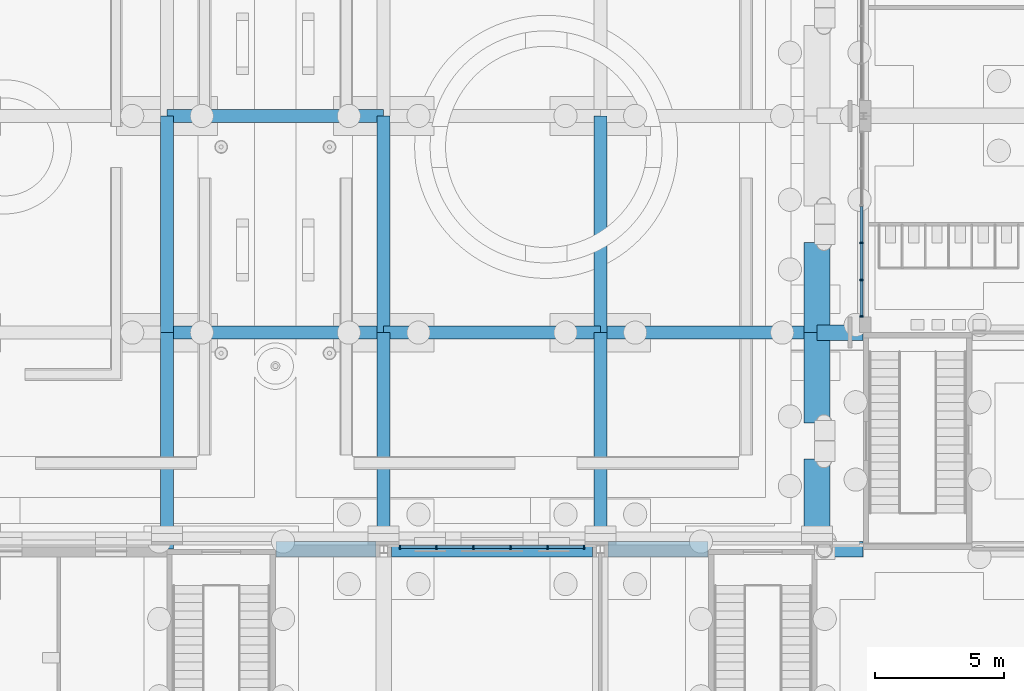
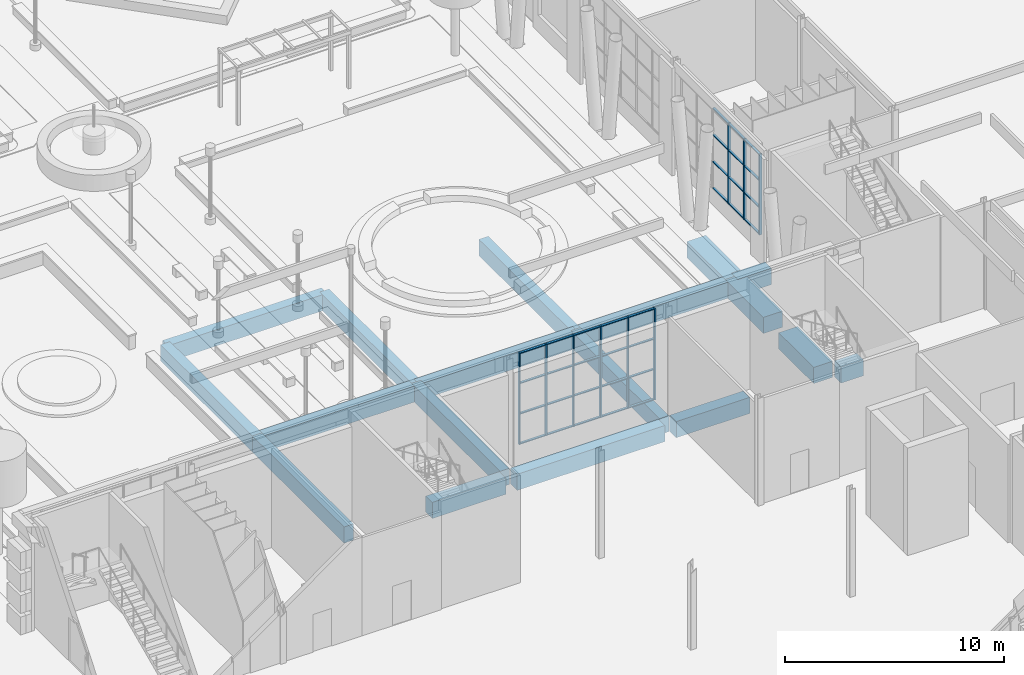
# One storey, part 43 of 222: 41 members, 18 beams, 2 elements without a shape of their own.
"""IFC4 building model written with IfcOpenShell, lengths in metres."""

import ifcopenshell
import ifcopenshell.guid

model = None  # the IFC model being written
_history = None  # IfcOwnerHistory: only IFC2X3 demands one
_inside = {}  # id of a spatial element -> (the spatial element, [elements in it])
_under = {}  # id of a project, library or spatial element -> (it, [spatial elements below it])
_declared = {}  # id of a project -> (the project, [libraries it declares])
_typed = {}  # id of a type object -> (the type object, [elements of that type])
_made_of = {}  # id of a material, layer set ... -> (it, [elements and type objects made of it])


def new_model(schema):
    """Start an empty IFC model of exactly this schema.

    Asked for "IFC4X3", IfcOpenShell would pick the latest addendum, in which some entities
    have other attributes; the version numbers below select the first issue.
    IFC2X3 requires an IfcOwnerHistory on every rooted entity: one is made here for all.
    """
    global model, _history
    if schema == "IFC4X3":
        model = ifcopenshell.file(schema_version=(4, 3, 0, 0))
    else:
        model = ifcopenshell.file(schema=schema)
    _inside.clear()
    _under.clear()
    _declared.clear()
    _typed.clear()
    _made_of.clear()
    _history = None
    if model.schema == "IFC2X3":
        org = make("IfcOrganization", Name="unknown")
        user = make(
            "IfcPersonAndOrganization",
            ThePerson=make("IfcPerson", FamilyName="unknown"),
            TheOrganization=org,
        )
        app = make(
            "IfcApplication",
            ApplicationDeveloper=org,
            Version="unknown",
            ApplicationFullName="unknown",
            ApplicationIdentifier="unknown",
        )
        _history = make(
            "IfcOwnerHistory",
            OwningUser=user,
            OwningApplication=app,
            ChangeAction="ADDED",
            CreationDate=0,
        )
    return model


def make(cls, **values):
    """One entity of the class cls with the attributes given. An attribute that is None is left unset."""
    return model.create_entity(
        cls, **{name: value for name, value in values.items() if value is not None}
    )


def rooted(cls, **values):
    """An entity with a GlobalId (a new one), such as an element, a storey or a relation."""
    return make(cls, GlobalId=ifcopenshell.guid.new(), OwnerHistory=_history, **values)


def si_unit(unit_type, name, prefix=None):
    """IfcSIUnit, for example si_unit("LENGTHUNIT", "METRE", prefix="MILLI")."""
    return make("IfcSIUnit", UnitType=unit_type, Prefix=prefix, Name=name)


def assignment(units):
    """IfcUnitAssignment: the units of a project."""
    return None if units is None else make("IfcUnitAssignment", Units=units)


def point(xyz):
    """IfcCartesianPoint."""
    return None if xyz is None else make("IfcCartesianPoint", Coordinates=xyz)


def direction(xyz):
    """IfcDirection."""
    return None if xyz is None else make("IfcDirection", DirectionRatios=xyz)


def frame(location, z_axis=None, x_axis=None):
    """IfcAxis2Placement3D, a coordinate frame: its origin and axes. An axis left out is left unset."""
    return make(
        "IfcAxis2Placement3D",
        Location=point(location),
        Axis=direction(z_axis),
        RefDirection=direction(x_axis),
    )


def frame_2d(location, x_axis=None):
    """IfcAxis2Placement2D, a coordinate frame in the plane: its origin and x axis."""
    return make(
        "IfcAxis2Placement2D", Location=point(location), RefDirection=direction(x_axis)
    )


def origin():
    """The frame at (0, 0, 0) with its axes left unset."""
    return frame((0.0, 0.0, 0.0))


def origin_2d():
    """The frame at (0, 0) in the plane with its x axis left unset."""
    return frame_2d((0.0, 0.0))


def place(relative_to, where):
    """IfcLocalPlacement: puts the frame where relative to a parent placement (None: the world)."""
    return make(
        "IfcLocalPlacement", PlacementRelTo=relative_to, RelativePlacement=where
    )


def context(
    kind, dimensions, precision=None, world=None, true_north=None, identifier=None
):
    """IfcGeometricRepresentationContext, for example the 3D "Model" context."""
    return make(
        "IfcGeometricRepresentationContext",
        ContextIdentifier=identifier,
        ContextType=kind,
        CoordinateSpaceDimension=dimensions,
        Precision=precision,
        WorldCoordinateSystem=world,
        TrueNorth=true_north,
    )


def subcontext(parent, identifier, kind, view, scale=None):
    """IfcGeometricRepresentationSubContext, for example "Body" below "Model"."""
    return make(
        "IfcGeometricRepresentationSubContext",
        ContextIdentifier=identifier,
        ContextType=kind,
        ParentContext=parent,
        TargetScale=scale,
        TargetView=view,
    )


def project(units=None, contexts=None):
    """IfcProject with its units and contexts."""
    return rooted(
        "IfcProject",
        Name="project",
        RepresentationContexts=contexts,
        UnitsInContext=assignment(units),
    )


def spatial(cls, under=None, at=None, **own):
    """A site, building, storey or space (cls), placed at a placement, below another one or the project."""
    s = rooted(cls, ObjectPlacement=at, **own)
    if under is not None:
        _under.setdefault(under.id(), (under, []))[1].append(s)
    return s


def profile(cls, at=None, kind="AREA", **sizes):
    """A parametric profile (cls). Its sizes go by their IFC names, for example OverallWidth=200.0."""
    return make(cls, ProfileType=kind, Position=at, **sizes)


def rectangle(**sizes):
    """IfcRectangleProfileDef."""
    return profile("IfcRectangleProfileDef", **sizes)


def extrude(swept, where, along, depth):
    """IfcExtrudedAreaSolid: the profile swept, set in the frame where, extruded along a direction by depth."""
    return make(
        "IfcExtrudedAreaSolid",
        SweptArea=swept,
        Position=where,
        ExtrudedDirection=direction(along),
        Depth=depth,
    )


def shape(context_of_items, identifier, shape_type, items):
    """IfcShapeRepresentation: the items that make up one representation, for example the "Body"."""
    return make(
        "IfcShapeRepresentation",
        ContextOfItems=context_of_items,
        RepresentationIdentifier=identifier,
        RepresentationType=shape_type,
        Items=items,
    )


def material(Name=None, Category=None):
    """IfcMaterial."""
    return make("IfcMaterial", Name=Name, Category=Category)


def material_profile(
    of_material, cross_section, Name=None, Category=None, Priority=None
):
    """IfcMaterialProfile: a cross section and its material."""
    return make(
        "IfcMaterialProfile",
        Name=Name,
        Material=of_material,
        Profile=cross_section,
        Priority=Priority,
        Category=Category,
    )


def profile_set(profiles, Name=None, composite=None):
    """IfcMaterialProfileSet."""
    return make(
        "IfcMaterialProfileSet",
        Name=Name,
        MaterialProfiles=profiles,
        CompositeProfile=composite,
    )


def made_of(thing, what):
    """Note that an element or type object is made of a material, layer set ...; save() writes the relation."""
    if what is not None:
        _made_of.setdefault(what.id(), (what, []))[1].append(thing)
    return thing


def type_object(cls, material=None, **own):
    """A type object (cls), such as IfcWallType, which elements share."""
    return made_of(rooted(cls, **own), material)


def element(
    cls,
    number,
    at=None,
    inside=None,
    cuts=None,
    type_object=None,
    material=None,
    context=None,
    identifier="Body",
    shape_type=None,
    held_by="IfcProductDefinitionShape",
    body=None,
    shapes=None,
    **own,
):
    """One element of the class cls, such as IfcWall. Its Tag is "e" and its number.

    at: its placement. inside: the storey or other place that contains it. cuts: it is an
    opening in that element (IfcRelVoidsElement). A single representation is given by context,
    identifier, shape_type and body (its items); several are given by shapes. held_by: the class
    of the entity that holds the representations. save() writes the other relations.
    """
    e = rooted(cls, Tag="e%d" % number, ObjectPlacement=at, **own)
    if body is not None:
        shapes = [shape(context, identifier, shape_type, body)]
    if shapes is not None:
        e.Representation = make(held_by, Representations=shapes)
    if inside is not None:
        _inside.setdefault(inside.id(), (inside, []))[1].append(e)
    if cuts is not None:
        rooted(
            "IfcRelVoidsElement", RelatingBuildingElement=cuts, RelatedOpeningElement=e
        )
    if type_object is not None:
        _typed.setdefault(type_object.id(), (type_object, []))[1].append(e)
    return made_of(e, material)


def aggregate(whole, parts):
    """IfcRelAggregates: a whole, such as a stair, and the parts it consists of."""
    return rooted("IfcRelAggregates", RelatingObject=whole, RelatedObjects=parts)


def save(model, path):
    """Write the relations noted so far, then the file.

    IfcRelAggregates (storeys below a building ...), IfcRelContainedInSpatialStructure (elements
    in a storey), IfcRelDefinesByType, IfcRelAssociatesMaterial and IfcRelDeclares: one each for
    every whole, place, type object, material and project.
    """
    for whole, parts in _under.values():
        aggregate(whole, parts)
    for where, things in _inside.values():
        rooted(
            "IfcRelContainedInSpatialStructure",
            RelatedElements=things,
            RelatingStructure=where,
        )
    for kind, things in _typed.values():
        rooted("IfcRelDefinesByType", RelatedObjects=things, RelatingType=kind)
    for what, things in _made_of.values():
        rooted("IfcRelAssociatesMaterial", RelatedObjects=things, RelatingMaterial=what)
    for by, libraries in _declared.values():
        rooted("IfcRelDeclares", RelatingContext=by, RelatedDefinitions=libraries)
    model.write(path)


model = new_model("IFC4")

# Units and contexts
model_context = context("Model", 3, precision=1e-05, world=origin(), true_north=direction((0.0, 1.0)))
body_context = subcontext(model_context, "Body", "Model", "MODEL_VIEW")
ifc_project = project(units=[si_unit("LENGTHUNIT", "METRE"), si_unit("AREAUNIT", "SQUARE_METRE"), si_unit("VOLUMEUNIT", "CUBIC_METRE"), si_unit("PLANEANGLEUNIT", "RADIAN"), si_unit("MASSUNIT", "GRAM", prefix="KILO")], contexts=[model_context])

# Site, building, storey
site_placement = place(None, origin())
site = spatial("IfcSite", under=ifc_project, at=site_placement, CompositionType="ELEMENT")
building_placement = place(site_placement, origin())
building = spatial("IfcBuilding", under=site, at=building_placement, Name="Sava Quay Ferry Terminal", CompositionType="ELEMENT")
storey_placement = place(building_placement, origin())
storey = spatial("IfcBuildingStorey", under=building, at=storey_placement, Name="L00", CompositionType="ELEMENT", Elevation=0.0)

# Curtain wall, members
ifc_material_1 = material(Name="Aluminium and glass curtain wall, double low-e glazed", Category="aluminium")
curtain_wall_type = type_object("IfcCurtainWallType", Name="Curtain wall CW-F flank", PredefinedType="NOTDEFINED", material=ifc_material_1)
curtain_wall_1_placement = place(storey_placement, origin())
curtain_wall_1 = element("IfcCurtainWall", 1, at=curtain_wall_1_placement, inside=storey, type_object=curtain_wall_type, Name="Curtain wall D-W L00 bay 2", PredefinedType="NOTDEFINED")
ifc_material_2 = material(Name="Aluminium EN AW-6063 T6", Category="aluminium")
ifc_material_profile_1 = material_profile(ifc_material_2, rectangle(XDim=0.14990234375, YDim=0.06005859375, at=origin_2d()), Name="Mullion 60x150 aluminium")
ifc_profile_set_1 = profile_set([ifc_material_profile_1], Name="Aluminium EN AW-6063 T6")
member_type_1 = type_object("IfcMemberType", Name="Mullion 60x150 aluminium", PredefinedType="MULLION", material=ifc_profile_set_1)
member_1_placement = place(storey_placement, frame((43.72509765625, 59.429931640625, 0.89990234375), z_axis=(0.0, 0.0, 1.0), x_axis=(-1.0, 0.0, 0.0)))
member_1 = element("IfcMember", 2, at=member_1_placement, type_object=member_type_1, Name="CW99 mullion 1", PredefinedType="MULLION", context=body_context, shape_type="SweptSolid", body=[
    extrude(rectangle(XDim=0.14990234375, YDim=0.06005859375, at=origin_2d()), origin(), (0.0, 0.0, 1.0), 4.5),
])
member_2_placement = place(storey_placement, frame((43.72509765625, 60.840087890625, 0.89990234375), z_axis=(0.0, 0.0, 1.0), x_axis=(-1.0, 0.0, 0.0)))
member_2 = element("IfcMember", 3, at=member_2_placement, type_object=member_type_1, Name="CW99 mullion 2", PredefinedType="MULLION", context=body_context, shape_type="SweptSolid", body=[
    extrude(rectangle(XDim=0.14990234375, YDim=0.06005859375, at=origin_2d()), origin(), (0.0, 0.0, 1.0), 4.5),
])
member_3_placement = place(storey_placement, frame((43.72509765625, 62.280029296875, 0.89990234375), z_axis=(0.0, 0.0, 1.0), x_axis=(-1.0, 0.0, 0.0)))
member_3 = element("IfcMember", 4, at=member_3_placement, type_object=member_type_1, Name="CW99 mullion 3", PredefinedType="MULLION", context=body_context, shape_type="SweptSolid", body=[
    extrude(rectangle(XDim=0.14990234375, YDim=0.06005859375, at=origin_2d()), origin(), (0.0, 0.0, 1.0), 4.5),
])

curtain_wall_2_placement = place(storey_placement, origin())
curtain_wall_2 = element("IfcCurtainWall", 5, at=curtain_wall_2_placement, inside=storey, type_object=curtain_wall_type, Name="Curtain wall W-N L00 bay 4", PredefinedType="NOTDEFINED")
member_4_placement = place(storey_placement, frame((25.830078125, 50.485107421875, 0.89990234375), z_axis=(0.0, 0.0, 1.0), x_axis=(0.0, 1.0, 0.0)))
member_4 = element("IfcMember", 6, at=member_4_placement, type_object=member_type_1, Name="CW120 mullion 1", PredefinedType="MULLION", context=body_context, shape_type="SweptSolid", body=[
    extrude(rectangle(XDim=0.14990234375, YDim=0.06005859375, at=origin_2d()), origin(), (0.0, 0.0, 1.0), 5.10009765625),
])
member_5_placement = place(storey_placement, frame((27.239990234375, 50.485107421875, 0.89990234375), z_axis=(0.0, 0.0, 1.0), x_axis=(0.0, 1.0, 0.0)))
member_5 = element("IfcMember", 7, at=member_5_placement, type_object=member_type_1, Name="CW120 mullion 2", PredefinedType="MULLION", context=body_context, shape_type="SweptSolid", body=[
    extrude(rectangle(XDim=0.14990234375, YDim=0.06005859375, at=origin_2d()), origin(), (0.0, 0.0, 1.0), 5.10009765625),
])
member_6_placement = place(storey_placement, frame((28.679931640625, 50.485107421875, 0.89990234375), z_axis=(0.0, 0.0, 1.0), x_axis=(0.0, 1.0, 0.0)))
member_6 = element("IfcMember", 8, at=member_6_placement, type_object=member_type_1, Name="CW120 mullion 3", PredefinedType="MULLION", context=body_context, shape_type="SweptSolid", body=[
    extrude(rectangle(XDim=0.14990234375, YDim=0.06005859375, at=origin_2d()), origin(), (0.0, 0.0, 1.0), 5.10009765625),
])
member_7_placement = place(storey_placement, frame((30.1201171875, 50.485107421875, 0.89990234375), z_axis=(0.0, 0.0, 1.0), x_axis=(0.0, 1.0, 0.0)))
member_7 = element("IfcMember", 9, at=member_7_placement, type_object=member_type_1, Name="CW120 mullion 4", PredefinedType="MULLION", context=body_context, shape_type="SweptSolid", body=[
    extrude(rectangle(XDim=0.14990234375, YDim=0.06005859375, at=origin_2d()), origin(), (0.0, 0.0, 1.0), 5.10009765625),
])
member_8_placement = place(storey_placement, frame((31.56005859375, 50.485107421875, 0.89990234375), z_axis=(0.0, 0.0, 1.0), x_axis=(0.0, 1.0, 0.0)))
member_8 = element("IfcMember", 10, at=member_8_placement, type_object=member_type_1, Name="CW120 mullion 5", PredefinedType="MULLION", context=body_context, shape_type="SweptSolid", body=[
    extrude(rectangle(XDim=0.14990234375, YDim=0.06005859375, at=origin_2d()), origin(), (0.0, 0.0, 1.0), 5.10009765625),
])
member_9_placement = place(storey_placement, frame((32.969970703125, 50.485107421875, 0.89990234375), z_axis=(0.0, 0.0, 1.0), x_axis=(0.0, 1.0, 0.0)))
member_9 = element("IfcMember", 11, at=member_9_placement, type_object=member_type_1, Name="CW120 mullion 6", PredefinedType="MULLION", context=body_context, shape_type="SweptSolid", body=[
    extrude(rectangle(XDim=0.14990234375, YDim=0.06005859375, at=origin_2d()), origin(), (0.0, 0.0, 1.0), 5.10009765625),
])

# Beams
ifc_material_3 = material(Name="Concrete C40/50", Category="concrete")
ifc_material_profile_2 = material_profile(ifc_material_3, rectangle(XDim=1.0, YDim=0.89990234375, at=origin_2d()), Name="RC 1000x900")
ifc_profile_set_2 = profile_set([ifc_material_profile_2], Name="Concrete C40/50")
beam_type_1 = type_object("IfcBeamType", Name="RC deck beam 1000x900", PredefinedType="BEAM", material=ifc_profile_set_2)
beam_1_placement = place(storey_placement, frame((42.0, 50.699951171875, -0.89990234375), z_axis=(0.0, 1.0, 0.0), x_axis=(-1.0, 0.0, 0.0)))
element("IfcBeam", 12, at=beam_1_placement, inside=storey, type_object=beam_type_1, Name="Deck beam Y42-50.4", PredefinedType="BEAM", context=body_context, shape_type="SweptSolid", body=[
    extrude(rectangle(XDim=1.0, YDim=0.89990234375, at=origin_2d()), origin(), (0.0, 0.0, 1.0), 3.199951171875),
])
for number, where, z_axis, x_axis, name in (
    (13, (42.0, 55.300048828125, -0.89990234375), (0.0, 1.0, 0.0), (-1.0, 0.0, 0.0), "Deck beam Y42-50.4"),
    (14, (42.0, 58.800048828125, -0.89990234375), (0.0, 1.0, 0.0), (-1.0, 0.0, 0.0), "Deck beam Y42-58.8"),
):
    element("IfcBeam", number, at=place(storey_placement, frame(where, z_axis=z_axis, x_axis=x_axis)), inside=storey, type_object=beam_type_1, Name=name, PredefinedType="BEAM", context=body_context, shape_type="SweptSolid", body=[
        extrude(rectangle(XDim=1.0, YDim=0.89990234375, at=origin_2d()), origin(), (0.0, 0.0, 1.0), 3.5),
    ])
ifc_material_4 = material(Name="Concrete C40/50", Category="concrete")
ifc_material_profile_3 = material_profile(ifc_material_4, rectangle(XDim=0.5, YDim=0.89990234375, at=origin_2d()), Name="RC 500x900")
ifc_profile_set_3 = profile_set([ifc_material_profile_3], Name="Concrete C40/50")
beam_type_2 = type_object("IfcBeamType", Name="RC deck beam 500x900", PredefinedType="BEAM", material=ifc_profile_set_3)
beam_2_placement = place(storey_placement, frame((16.800048828125, 58.800048828125, -0.89990234375), z_axis=(1.0, 0.0, 0.0), x_axis=(0.0, 1.0, 0.0)))
element("IfcBeam", 15, at=beam_2_placement, inside=storey, type_object=beam_type_2, Name="Deck beam X58.8-16.8", PredefinedType="BEAM", context=body_context, shape_type="SweptSolid", body=[
    extrude(rectangle(XDim=0.5, YDim=0.89990234375, at=origin_2d()), origin(), (0.0, 0.0, 1.0), 8.39990234375),
])
beam_3_placement = place(storey_placement, frame((25.199951171875, 58.800048828125, -0.89990234375), z_axis=(1.0, 0.0, 0.0), x_axis=(0.0, 1.0, 0.0)))
element("IfcBeam", 16, at=beam_3_placement, inside=storey, type_object=beam_type_2, Name="Deck beam X58.8-25.2", PredefinedType="BEAM", context=body_context, shape_type="SweptSolid", body=[
    extrude(rectangle(XDim=0.5, YDim=0.89990234375, at=origin_2d()), origin(), (0.0, 0.0, 1.0), 8.400146484375),
])
for number, where, z_axis, x_axis, name in (
    (17, (33.60009765625, 58.800048828125, -0.89990234375), (1.0, 0.0, 0.0), (0.0, 1.0, 0.0), "Deck beam X58.8-33.6"),
    (18, (16.800048828125, 67.199951171875, -0.89990234375), (1.0, 0.0, 0.0), (0.0, 1.0, 0.0), "Deck beam X67.2-16.8"),
):
    element("IfcBeam", number, at=place(storey_placement, frame(where, z_axis=z_axis, x_axis=x_axis)), inside=storey, type_object=beam_type_2, Name=name, PredefinedType="BEAM", context=body_context, shape_type="SweptSolid", body=[
        extrude(rectangle(XDim=0.5, YDim=0.89990234375, at=origin_2d()), origin(), (0.0, 0.0, 1.0), 8.39990234375),
    ])
beam_4_placement = place(storey_placement, frame((16.800048828125, 50.419921875, -0.89990234375), z_axis=(0.0, 1.0, 0.0), x_axis=(-1.0, 0.0, 0.0)))
element("IfcBeam", 19, at=beam_4_placement, inside=storey, type_object=beam_type_2, Name="Deck beam Y16.8-50.4", PredefinedType="BEAM", context=body_context, shape_type="SweptSolid", body=[
    extrude(rectangle(XDim=0.5, YDim=0.89990234375, at=origin_2d()), origin(), (0.0, 0.0, 1.0), 8.380126953125),
])
beam_5_placement = place(storey_placement, frame((16.800048828125, 58.800048828125, -0.89990234375), z_axis=(0.0, 1.0, 0.0), x_axis=(-1.0, 0.0, 0.0)))
element("IfcBeam", 20, at=beam_5_placement, inside=storey, type_object=beam_type_2, Name="Deck beam Y16.8-58.8", PredefinedType="BEAM", context=body_context, shape_type="SweptSolid", body=[
    extrude(rectangle(XDim=0.5, YDim=0.89990234375, at=origin_2d()), origin(), (0.0, 0.0, 1.0), 8.39990234375),
])
beam_6_placement = place(storey_placement, frame((25.199951171875, 50.699951171875, -0.89990234375), z_axis=(0.0, 1.0, 0.0), x_axis=(-1.0, 0.0, 0.0)))
element("IfcBeam", 21, at=beam_6_placement, inside=storey, type_object=beam_type_2, Name="Deck beam Y25.2-50.4", PredefinedType="BEAM", context=body_context, shape_type="SweptSolid", body=[
    extrude(rectangle(XDim=0.5, YDim=0.89990234375, at=origin_2d()), origin(), (0.0, 0.0, 1.0), 8.10009765625),
])
beam_7_placement = place(storey_placement, frame((25.199951171875, 58.800048828125, -0.89990234375), z_axis=(0.0, 1.0, 0.0), x_axis=(-1.0, 0.0, 0.0)))
element("IfcBeam", 22, at=beam_7_placement, inside=storey, type_object=beam_type_2, Name="Deck beam Y25.2-58.8", PredefinedType="BEAM", context=body_context, shape_type="SweptSolid", body=[
    extrude(rectangle(XDim=0.5, YDim=0.89990234375, at=origin_2d()), origin(), (0.0, 0.0, 1.0), 8.39990234375),
])
beam_8_placement = place(storey_placement, frame((33.60009765625, 50.699951171875, -0.89990234375), z_axis=(0.0, 1.0, 0.0), x_axis=(-1.0, 0.0, 0.0)))
element("IfcBeam", 23, at=beam_8_placement, inside=storey, type_object=beam_type_2, Name="Deck beam Y33.6-50.4", PredefinedType="BEAM", context=body_context, shape_type="SweptSolid", body=[
    extrude(rectangle(XDim=0.5, YDim=0.89990234375, at=origin_2d()), origin(), (0.0, 0.0, 1.0), 8.10009765625),
])
beam_9_placement = place(storey_placement, frame((33.60009765625, 58.800048828125, -0.89990234375), z_axis=(0.0, 1.0, 0.0), x_axis=(-1.0, 0.0, 0.0)))
element("IfcBeam", 24, at=beam_9_placement, inside=storey, type_object=beam_type_2, Name="Deck beam Y33.6-58.8", PredefinedType="BEAM", context=body_context, shape_type="SweptSolid", body=[
    extrude(rectangle(XDim=0.5, YDim=0.89990234375, at=origin_2d()), origin(), (0.0, 0.0, 1.0), 8.39990234375),
])
ifc_material_5 = material(Name="Concrete C40/50", Category="concrete")
ifc_material_profile_4 = material_profile(ifc_material_5, rectangle(XDim=0.60009765625, YDim=0.89990234375, at=origin_2d()), Name="RC 600x900")
ifc_profile_set_4 = profile_set([ifc_material_profile_4], Name="Concrete C40/50")
beam_type_3 = type_object("IfcBeamType", Name="RC deck beam 600x900", PredefinedType="BEAM", material=ifc_profile_set_4)
beam_10_placement = place(storey_placement, frame((21.02001953125, 50.39990234375, -0.89990234375), z_axis=(1.0, 0.0, 0.0), x_axis=(0.0, 1.0, 0.0)))
element("IfcBeam", 25, at=beam_10_placement, inside=storey, type_object=beam_type_3, Name="Deck beam X50.4-16.8", PredefinedType="BEAM", context=body_context, shape_type="SweptSolid", body=[
    extrude(rectangle(XDim=0.60009765625, YDim=0.89990234375, at=origin_2d()), origin(), (0.0, 0.0, 1.0), 3.8798828125),
])
beam_11_placement = place(storey_placement, frame((25.5, 50.39990234375, -0.89990234375), z_axis=(1.0, 0.0, 0.0), x_axis=(0.0, 1.0, 0.0)))
element("IfcBeam", 26, at=beam_11_placement, inside=storey, type_object=beam_type_3, Name="Deck beam X50.4-25.2", PredefinedType="BEAM", context=body_context, shape_type="SweptSolid", body=[
    extrude(rectangle(XDim=0.60009765625, YDim=0.89990234375, at=origin_2d()), origin(), (0.0, 0.0, 1.0), 7.800048828125),
])
beam_12_placement = place(storey_placement, frame((33.89990234375, 50.39990234375, -0.89990234375), z_axis=(1.0, 0.0, 0.0), x_axis=(0.0, 1.0, 0.0)))
element("IfcBeam", 27, at=beam_12_placement, inside=storey, type_object=beam_type_3, Name="Deck beam X50.4-33.6", PredefinedType="BEAM", context=body_context, shape_type="SweptSolid", body=[
    extrude(rectangle(XDim=0.60009765625, YDim=0.89990234375, at=origin_2d()), origin(), (0.0, 0.0, 1.0), 3.880126953125),
])
beam_13_placement = place(storey_placement, frame((42.60009765625, 50.39990234375, -0.89990234375), z_axis=(1.0, 0.0, 0.0), x_axis=(0.0, 1.0, 0.0)))
element("IfcBeam", 28, at=beam_13_placement, inside=storey, type_object=beam_type_3, Name="Deck beam X50.4-42", PredefinedType="BEAM", context=body_context, shape_type="SweptSolid", body=[
    extrude(rectangle(XDim=0.60009765625, YDim=0.89990234375, at=origin_2d()), origin(), (0.0, 0.0, 1.0), 1.179931640625),
])
beam_14_placement = place(storey_placement, frame((42.0, 58.800048828125, -0.89990234375), z_axis=(1.0, 0.0, 0.0), x_axis=(0.0, 1.0, 0.0)))
element("IfcBeam", 29, at=beam_14_placement, inside=storey, type_object=beam_type_3, Name="Deck beam X58.8-42", PredefinedType="BEAM", context=body_context, shape_type="SweptSolid", body=[
    extrude(rectangle(XDim=0.60009765625, YDim=0.89990234375, at=origin_2d()), origin(), (0.0, 0.0, 1.0), 1.780029296875),
])

# Member
ifc_material_6 = material(Name="Aluminium EN AW-6063 T6", Category="aluminium")
ifc_material_profile_5 = material_profile(ifc_material_6, rectangle(XDim=0.1201171875, YDim=0.050048828125, at=origin_2d()), Name="Transom 50x120 aluminium")
ifc_profile_set_5 = profile_set([ifc_material_profile_5], Name="Aluminium EN AW-6063 T6")
member_type_2 = type_object("IfcMemberType", Name="Transom 50x120 aluminium", PredefinedType="USERDEFINED", material=ifc_profile_set_5)
member_10_placement = place(storey_placement, frame((43.72509765625, 59.4599609375, 0.925048828125), z_axis=(0.0, 1.0, 0.0), x_axis=(-1.0, 0.0, 0.0)))
member_10 = element("IfcMember", 30, at=member_10_placement, type_object=member_type_2, Name="CW99 transom 1.1", ObjectType="TRANSOM", PredefinedType="USERDEFINED", context=body_context, shape_type="SweptSolid", body=[
    extrude(rectangle(XDim=0.1201171875, YDim=0.050048828125, at=origin_2d()), origin(), (0.0, 0.0, 1.0), 1.35009765625),
])

member_11_placement = place(storey_placement, frame((43.72509765625, 59.4599609375, 2.39990234375), z_axis=(0.0, 1.0, 0.0), x_axis=(-1.0, 0.0, 0.0)))
member_11 = element("IfcMember", 31, at=member_11_placement, type_object=member_type_2, Name="CW99 transom 1.2", ObjectType="TRANSOM", PredefinedType="USERDEFINED", context=body_context, shape_type="SweptSolid", body=[
    extrude(rectangle(XDim=0.1201171875, YDim=0.050048828125, at=origin_2d()), origin(), (0.0, 0.0, 1.0), 1.35009765625),
])

member_12_placement = place(storey_placement, frame((43.72509765625, 59.4599609375, 3.89990234375), z_axis=(0.0, 1.0, 0.0), x_axis=(-1.0, 0.0, 0.0)))
member_12 = element("IfcMember", 32, at=member_12_placement, type_object=member_type_2, Name="CW99 transom 1.3", ObjectType="TRANSOM", PredefinedType="USERDEFINED", context=body_context, shape_type="SweptSolid", body=[
    extrude(rectangle(XDim=0.1201171875, YDim=0.050048828125, at=origin_2d()), origin(), (0.0, 0.0, 1.0), 1.35009765625),
])

member_13_placement = place(storey_placement, frame((43.72509765625, 59.4599609375, 5.375), z_axis=(0.0, 1.0, 0.0), x_axis=(-1.0, 0.0, 0.0)))
member_13 = element("IfcMember", 33, at=member_13_placement, type_object=member_type_2, Name="CW99 transom 1.4", ObjectType="TRANSOM", PredefinedType="USERDEFINED", context=body_context, shape_type="SweptSolid", body=[
    extrude(rectangle(XDim=0.1201171875, YDim=0.050048828125, at=origin_2d()), origin(), (0.0, 0.0, 1.0), 1.35009765625),
])

member_14_placement = place(storey_placement, frame((43.72509765625, 60.8701171875, 0.925048828125), z_axis=(0.0, 1.0, 0.0), x_axis=(-1.0, 0.0, 0.0)))
member_14 = element("IfcMember", 34, at=member_14_placement, type_object=member_type_2, Name="CW99 transom 2.1", ObjectType="TRANSOM", PredefinedType="USERDEFINED", context=body_context, shape_type="SweptSolid", body=[
    extrude(rectangle(XDim=0.1201171875, YDim=0.050048828125, at=origin_2d()), origin(), (0.0, 0.0, 1.0), 1.3798828125),
])

member_15_placement = place(storey_placement, frame((43.72509765625, 60.8701171875, 2.39990234375), z_axis=(0.0, 1.0, 0.0), x_axis=(-1.0, 0.0, 0.0)))
member_15 = element("IfcMember", 35, at=member_15_placement, type_object=member_type_2, Name="CW99 transom 2.2", ObjectType="TRANSOM", PredefinedType="USERDEFINED", context=body_context, shape_type="SweptSolid", body=[
    extrude(rectangle(XDim=0.1201171875, YDim=0.050048828125, at=origin_2d()), origin(), (0.0, 0.0, 1.0), 1.3798828125),
])

member_16_placement = place(storey_placement, frame((43.72509765625, 60.8701171875, 3.89990234375), z_axis=(0.0, 1.0, 0.0), x_axis=(-1.0, 0.0, 0.0)))
member_16 = element("IfcMember", 36, at=member_16_placement, type_object=member_type_2, Name="CW99 transom 2.3", ObjectType="TRANSOM", PredefinedType="USERDEFINED", context=body_context, shape_type="SweptSolid", body=[
    extrude(rectangle(XDim=0.1201171875, YDim=0.050048828125, at=origin_2d()), origin(), (0.0, 0.0, 1.0), 1.3798828125),
])

member_17_placement = place(storey_placement, frame((43.72509765625, 60.8701171875, 5.375), z_axis=(0.0, 1.0, 0.0), x_axis=(-1.0, 0.0, 0.0)))
member_17 = element("IfcMember", 37, at=member_17_placement, type_object=member_type_2, Name="CW99 transom 2.4", ObjectType="TRANSOM", PredefinedType="USERDEFINED", context=body_context, shape_type="SweptSolid", body=[
    extrude(rectangle(XDim=0.1201171875, YDim=0.050048828125, at=origin_2d()), origin(), (0.0, 0.0, 1.0), 1.3798828125),
])

member_18_placement = place(storey_placement, frame((43.72509765625, 62.31005859375, 0.925048828125), z_axis=(0.0, 1.0, 0.0), x_axis=(-1.0, 0.0, 0.0)))
member_18 = element("IfcMember", 38, at=member_18_placement, type_object=member_type_2, Name="CW99 transom 3.1", ObjectType="TRANSOM", PredefinedType="USERDEFINED", context=body_context, shape_type="SweptSolid", body=[
    extrude(rectangle(XDim=0.1201171875, YDim=0.050048828125, at=origin_2d()), origin(), (0.0, 0.0, 1.0), 1.3798828125),
])

member_19_placement = place(storey_placement, frame((43.72509765625, 62.31005859375, 2.39990234375), z_axis=(0.0, 1.0, 0.0), x_axis=(-1.0, 0.0, 0.0)))
member_19 = element("IfcMember", 39, at=member_19_placement, type_object=member_type_2, Name="CW99 transom 3.2", ObjectType="TRANSOM", PredefinedType="USERDEFINED", context=body_context, shape_type="SweptSolid", body=[
    extrude(rectangle(XDim=0.1201171875, YDim=0.050048828125, at=origin_2d()), origin(), (0.0, 0.0, 1.0), 1.3798828125),
])

member_20_placement = place(storey_placement, frame((43.72509765625, 62.31005859375, 3.89990234375), z_axis=(0.0, 1.0, 0.0), x_axis=(-1.0, 0.0, 0.0)))
member_20 = element("IfcMember", 40, at=member_20_placement, type_object=member_type_2, Name="CW99 transom 3.3", ObjectType="TRANSOM", PredefinedType="USERDEFINED", context=body_context, shape_type="SweptSolid", body=[
    extrude(rectangle(XDim=0.1201171875, YDim=0.050048828125, at=origin_2d()), origin(), (0.0, 0.0, 1.0), 1.3798828125),
])

member_21_placement = place(storey_placement, frame((43.72509765625, 62.31005859375, 5.375), z_axis=(0.0, 1.0, 0.0), x_axis=(-1.0, 0.0, 0.0)))
member_21 = element("IfcMember", 41, at=member_21_placement, type_object=member_type_2, Name="CW99 transom 3.4", ObjectType="TRANSOM", PredefinedType="USERDEFINED", context=body_context, shape_type="SweptSolid", body=[
    extrude(rectangle(XDim=0.1201171875, YDim=0.050048828125, at=origin_2d()), origin(), (0.0, 0.0, 1.0), 1.3798828125),
])

aggregate(curtain_wall_1, [member_1, member_2, member_3, member_10, member_11, member_12, member_13, member_14, member_15, member_16, member_17, member_18, member_19, member_20, member_21])

member_22_placement = place(storey_placement, frame((25.860107421875, 50.485107421875, 0.925048828125), z_axis=(1.0, 0.0, 0.0), x_axis=(0.0, 1.0, 0.0)))
member_22 = element("IfcMember", 42, at=member_22_placement, type_object=member_type_2, Name="CW120 transom 1.1", ObjectType="TRANSOM", PredefinedType="USERDEFINED", context=body_context, shape_type="SweptSolid", body=[
    extrude(rectangle(XDim=0.1201171875, YDim=0.050048828125, at=origin_2d()), origin(), (0.0, 0.0, 1.0), 1.349853515625),
])

member_23_placement = place(storey_placement, frame((25.860107421875, 50.485107421875, 2.60009765625), z_axis=(1.0, 0.0, 0.0), x_axis=(0.0, 1.0, 0.0)))
member_23 = element("IfcMember", 43, at=member_23_placement, type_object=member_type_2, Name="CW120 transom 1.2", ObjectType="TRANSOM", PredefinedType="USERDEFINED", context=body_context, shape_type="SweptSolid", body=[
    extrude(rectangle(XDim=0.1201171875, YDim=0.050048828125, at=origin_2d()), origin(), (0.0, 0.0, 1.0), 1.349853515625),
])

member_24_placement = place(storey_placement, frame((25.860107421875, 50.485107421875, 4.300048828125), z_axis=(1.0, 0.0, 0.0), x_axis=(0.0, 1.0, 0.0)))
member_24 = element("IfcMember", 44, at=member_24_placement, type_object=member_type_2, Name="CW120 transom 1.3", ObjectType="TRANSOM", PredefinedType="USERDEFINED", context=body_context, shape_type="SweptSolid", body=[
    extrude(rectangle(XDim=0.1201171875, YDim=0.050048828125, at=origin_2d()), origin(), (0.0, 0.0, 1.0), 1.349853515625),
])

member_25_placement = place(storey_placement, frame((25.860107421875, 50.485107421875, 5.97509765625), z_axis=(1.0, 0.0, 0.0), x_axis=(0.0, 1.0, 0.0)))
member_25 = element("IfcMember", 45, at=member_25_placement, type_object=member_type_2, Name="CW120 transom 1.4", ObjectType="TRANSOM", PredefinedType="USERDEFINED", context=body_context, shape_type="SweptSolid", body=[
    extrude(rectangle(XDim=0.1201171875, YDim=0.050048828125, at=origin_2d()), origin(), (0.0, 0.0, 1.0), 1.349853515625),
])

member_26_placement = place(storey_placement, frame((27.27001953125, 50.485107421875, 0.925048828125), z_axis=(1.0, 0.0, 0.0), x_axis=(0.0, 1.0, 0.0)))
member_26 = element("IfcMember", 46, at=member_26_placement, type_object=member_type_2, Name="CW120 transom 2.1", ObjectType="TRANSOM", PredefinedType="USERDEFINED", context=body_context, shape_type="SweptSolid", body=[
    extrude(rectangle(XDim=0.1201171875, YDim=0.050048828125, at=origin_2d()), origin(), (0.0, 0.0, 1.0), 1.3798828125),
])

member_27_placement = place(storey_placement, frame((27.27001953125, 50.485107421875, 2.60009765625), z_axis=(1.0, 0.0, 0.0), x_axis=(0.0, 1.0, 0.0)))
member_27 = element("IfcMember", 47, at=member_27_placement, type_object=member_type_2, Name="CW120 transom 2.2", ObjectType="TRANSOM", PredefinedType="USERDEFINED", context=body_context, shape_type="SweptSolid", body=[
    extrude(rectangle(XDim=0.1201171875, YDim=0.050048828125, at=origin_2d()), origin(), (0.0, 0.0, 1.0), 1.3798828125),
])

member_28_placement = place(storey_placement, frame((27.27001953125, 50.485107421875, 4.300048828125), z_axis=(1.0, 0.0, 0.0), x_axis=(0.0, 1.0, 0.0)))
member_28 = element("IfcMember", 48, at=member_28_placement, type_object=member_type_2, Name="CW120 transom 2.3", ObjectType="TRANSOM", PredefinedType="USERDEFINED", context=body_context, shape_type="SweptSolid", body=[
    extrude(rectangle(XDim=0.1201171875, YDim=0.050048828125, at=origin_2d()), origin(), (0.0, 0.0, 1.0), 1.3798828125),
])

member_29_placement = place(storey_placement, frame((27.27001953125, 50.485107421875, 5.97509765625), z_axis=(1.0, 0.0, 0.0), x_axis=(0.0, 1.0, 0.0)))
member_29 = element("IfcMember", 49, at=member_29_placement, type_object=member_type_2, Name="CW120 transom 2.4", ObjectType="TRANSOM", PredefinedType="USERDEFINED", context=body_context, shape_type="SweptSolid", body=[
    extrude(rectangle(XDim=0.1201171875, YDim=0.050048828125, at=origin_2d()), origin(), (0.0, 0.0, 1.0), 1.3798828125),
])

member_30_placement = place(storey_placement, frame((28.7099609375, 50.485107421875, 0.925048828125), z_axis=(1.0, 0.0, 0.0), x_axis=(0.0, 1.0, 0.0)))
member_30 = element("IfcMember", 50, at=member_30_placement, type_object=member_type_2, Name="CW120 transom 3.1", ObjectType="TRANSOM", PredefinedType="USERDEFINED", context=body_context, shape_type="SweptSolid", body=[
    extrude(rectangle(XDim=0.1201171875, YDim=0.050048828125, at=origin_2d()), origin(), (0.0, 0.0, 1.0), 1.380126953125),
])

member_31_placement = place(storey_placement, frame((28.7099609375, 50.485107421875, 2.60009765625), z_axis=(1.0, 0.0, 0.0), x_axis=(0.0, 1.0, 0.0)))
member_31 = element("IfcMember", 51, at=member_31_placement, type_object=member_type_2, Name="CW120 transom 3.2", ObjectType="TRANSOM", PredefinedType="USERDEFINED", context=body_context, shape_type="SweptSolid", body=[
    extrude(rectangle(XDim=0.1201171875, YDim=0.050048828125, at=origin_2d()), origin(), (0.0, 0.0, 1.0), 1.380126953125),
])

member_32_placement = place(storey_placement, frame((28.7099609375, 50.485107421875, 4.300048828125), z_axis=(1.0, 0.0, 0.0), x_axis=(0.0, 1.0, 0.0)))
member_32 = element("IfcMember", 52, at=member_32_placement, type_object=member_type_2, Name="CW120 transom 3.3", ObjectType="TRANSOM", PredefinedType="USERDEFINED", context=body_context, shape_type="SweptSolid", body=[
    extrude(rectangle(XDim=0.1201171875, YDim=0.050048828125, at=origin_2d()), origin(), (0.0, 0.0, 1.0), 1.380126953125),
])

member_33_placement = place(storey_placement, frame((28.7099609375, 50.485107421875, 5.97509765625), z_axis=(1.0, 0.0, 0.0), x_axis=(0.0, 1.0, 0.0)))
member_33 = element("IfcMember", 53, at=member_33_placement, type_object=member_type_2, Name="CW120 transom 3.4", ObjectType="TRANSOM", PredefinedType="USERDEFINED", context=body_context, shape_type="SweptSolid", body=[
    extrude(rectangle(XDim=0.1201171875, YDim=0.050048828125, at=origin_2d()), origin(), (0.0, 0.0, 1.0), 1.380126953125),
])

member_34_placement = place(storey_placement, frame((30.14990234375, 50.485107421875, 0.925048828125), z_axis=(1.0, 0.0, 0.0), x_axis=(0.0, 1.0, 0.0)))
member_34 = element("IfcMember", 54, at=member_34_placement, type_object=member_type_2, Name="CW120 transom 4.1", ObjectType="TRANSOM", PredefinedType="USERDEFINED", context=body_context, shape_type="SweptSolid", body=[
    extrude(rectangle(XDim=0.1201171875, YDim=0.050048828125, at=origin_2d()), origin(), (0.0, 0.0, 1.0), 1.380126953125),
])

member_35_placement = place(storey_placement, frame((30.14990234375, 50.485107421875, 2.60009765625), z_axis=(1.0, 0.0, 0.0), x_axis=(0.0, 1.0, 0.0)))
member_35 = element("IfcMember", 55, at=member_35_placement, type_object=member_type_2, Name="CW120 transom 4.2", ObjectType="TRANSOM", PredefinedType="USERDEFINED", context=body_context, shape_type="SweptSolid", body=[
    extrude(rectangle(XDim=0.1201171875, YDim=0.050048828125, at=origin_2d()), origin(), (0.0, 0.0, 1.0), 1.380126953125),
])

member_36_placement = place(storey_placement, frame((30.14990234375, 50.485107421875, 4.300048828125), z_axis=(1.0, 0.0, 0.0), x_axis=(0.0, 1.0, 0.0)))
member_36 = element("IfcMember", 56, at=member_36_placement, type_object=member_type_2, Name="CW120 transom 4.3", ObjectType="TRANSOM", PredefinedType="USERDEFINED", context=body_context, shape_type="SweptSolid", body=[
    extrude(rectangle(XDim=0.1201171875, YDim=0.050048828125, at=origin_2d()), origin(), (0.0, 0.0, 1.0), 1.380126953125),
])

member_37_placement = place(storey_placement, frame((30.14990234375, 50.485107421875, 5.97509765625), z_axis=(1.0, 0.0, 0.0), x_axis=(0.0, 1.0, 0.0)))
member_37 = element("IfcMember", 57, at=member_37_placement, type_object=member_type_2, Name="CW120 transom 4.4", ObjectType="TRANSOM", PredefinedType="USERDEFINED", context=body_context, shape_type="SweptSolid", body=[
    extrude(rectangle(XDim=0.1201171875, YDim=0.050048828125, at=origin_2d()), origin(), (0.0, 0.0, 1.0), 1.380126953125),
])

member_38_placement = place(storey_placement, frame((31.590087890625, 50.485107421875, 0.925048828125), z_axis=(1.0, 0.0, 0.0), x_axis=(0.0, 1.0, 0.0)))
member_38 = element("IfcMember", 58, at=member_38_placement, type_object=member_type_2, Name="CW120 transom 5.1", ObjectType="TRANSOM", PredefinedType="USERDEFINED", context=body_context, shape_type="SweptSolid", body=[
    extrude(rectangle(XDim=0.1201171875, YDim=0.050048828125, at=origin_2d()), origin(), (0.0, 0.0, 1.0), 1.349853515625),
])

member_39_placement = place(storey_placement, frame((31.590087890625, 50.485107421875, 2.60009765625), z_axis=(1.0, 0.0, 0.0), x_axis=(0.0, 1.0, 0.0)))
member_39 = element("IfcMember", 59, at=member_39_placement, type_object=member_type_2, Name="CW120 transom 5.2", ObjectType="TRANSOM", PredefinedType="USERDEFINED", context=body_context, shape_type="SweptSolid", body=[
    extrude(rectangle(XDim=0.1201171875, YDim=0.050048828125, at=origin_2d()), origin(), (0.0, 0.0, 1.0), 1.349853515625),
])

member_40_placement = place(storey_placement, frame((31.590087890625, 50.485107421875, 4.300048828125), z_axis=(1.0, 0.0, 0.0), x_axis=(0.0, 1.0, 0.0)))
member_40 = element("IfcMember", 60, at=member_40_placement, type_object=member_type_2, Name="CW120 transom 5.3", ObjectType="TRANSOM", PredefinedType="USERDEFINED", context=body_context, shape_type="SweptSolid", body=[
    extrude(rectangle(XDim=0.1201171875, YDim=0.050048828125, at=origin_2d()), origin(), (0.0, 0.0, 1.0), 1.349853515625),
])

member_41_placement = place(storey_placement, frame((31.590087890625, 50.485107421875, 5.97509765625), z_axis=(1.0, 0.0, 0.0), x_axis=(0.0, 1.0, 0.0)))
member_41 = element("IfcMember", 61, at=member_41_placement, type_object=member_type_2, Name="CW120 transom 5.4", ObjectType="TRANSOM", PredefinedType="USERDEFINED", context=body_context, shape_type="SweptSolid", body=[
    extrude(rectangle(XDim=0.1201171875, YDim=0.050048828125, at=origin_2d()), origin(), (0.0, 0.0, 1.0), 1.349853515625),
])

aggregate(curtain_wall_2, [member_4, member_5, member_6, member_7, member_8, member_9, member_22, member_23, member_24, member_25, member_26, member_27, member_28, member_29, member_30, member_31, member_32, member_33, member_34, member_35, member_36, member_37, member_38, member_39, member_40, member_41])

save(model, "model.ifc")
